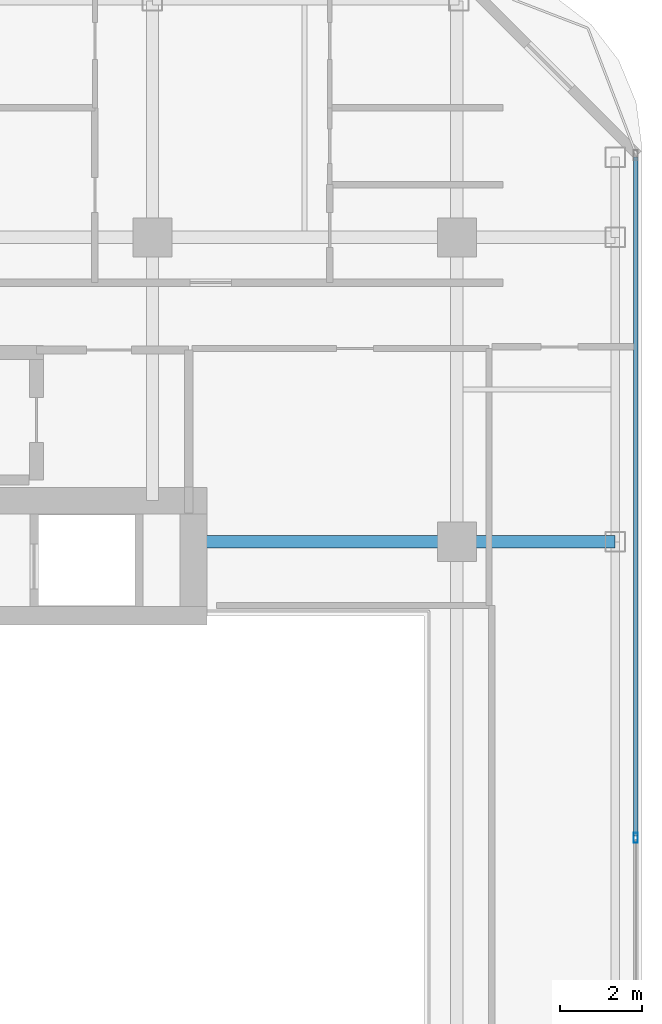
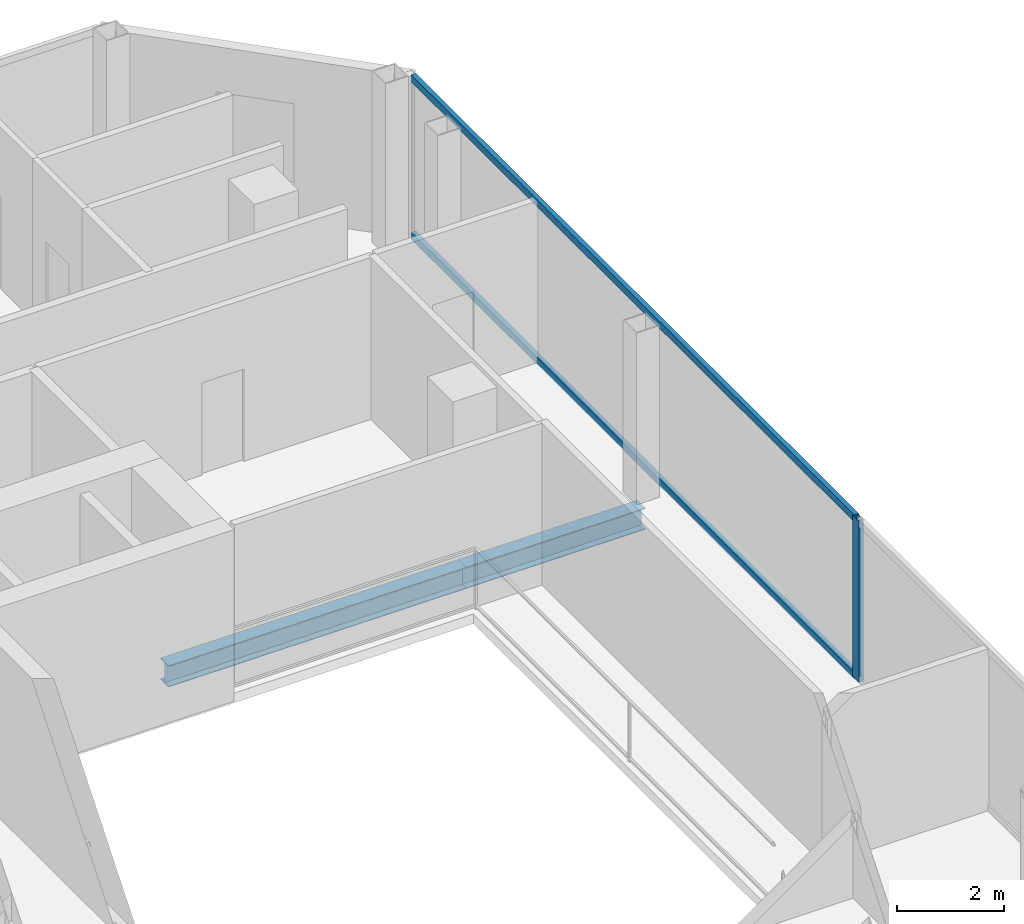
# One storey, part 10 of 23: 3 members, 2 beams, 1 element without a shape of its own.
"""IFC4 building model written with IfcOpenShell, lengths in metres."""

from ifc_helpers import new_model, si_unit, direction, frame, origin, origin_2d, place, context, subcontext, project, spatial, hollow_rectangle, i_section, extrude, material, layer, layer_set, material_profile, profile_set, type_object, element, aggregate, save


model = new_model("IFC4")

# Units and contexts
model_context = context("Model", 3, precision=1e-05, world=origin(), true_north=direction((0.0, 1.0)))
body_context = subcontext(model_context, "Body", "Model", "MODEL_VIEW")
ifc_project = project(units=[si_unit("LENGTHUNIT", "METRE"), si_unit("AREAUNIT", "SQUARE_METRE"), si_unit("VOLUMEUNIT", "CUBIC_METRE"), si_unit("PLANEANGLEUNIT", "RADIAN"), si_unit("MASSUNIT", "GRAM", prefix="KILO")], contexts=[model_context])

# Site, building, storey
site_placement = place(None, origin())
site = spatial("IfcSite", under=ifc_project, at=site_placement, CompositionType="ELEMENT")
building_placement = place(site_placement, origin())
building = spatial("IfcBuilding", under=site, at=building_placement, Name="Khorvyn Point Tower", CompositionType="ELEMENT")
storey_placement = place(building_placement, frame((0.0, 0.0, 293.699951171875)))
storey = spatial("IfcBuildingStorey", under=building, at=storey_placement, Name="L72", CompositionType="ELEMENT", Elevation=293.699951171875)

# Curtain wall, members
ifc_material_1 = material(Name="Anodised aluminium 6063-T6 and laminated Low-E glass", Category="aluminium")
ifc_layer = layer(ifc_material_1, 0.18994140625)
ifc_layer_set = layer_set([ifc_layer], Name="Stick-Built High-Wind Curtain Wall CW-SYS-04")
curtain_wall_type = type_object("IfcCurtainWallType", Name="Stick-Built High-Wind Curtain Wall CW-SYS-04", PredefinedType="NOTDEFINED", material=ifc_layer_set)
curtain_wall_placement = place(storey_placement, origin())
curtain_wall = element("IfcCurtainWall", 1, at=curtain_wall_placement, inside=storey, type_object=curtain_wall_type, Name="Curtain Wall", PredefinedType="NOTDEFINED")
ifc_material_2 = material(Name="Anodised aluminium 6063-T6", Category="aluminium")
ifc_material_profile_1 = material_profile(ifc_material_2, hollow_rectangle(XDim=0.10009765625, YDim=0.239990234375, WallThickness=0.0048828125, at=origin_2d()))
ifc_profile_set_1 = profile_set([ifc_material_profile_1], Name="Anodised aluminium 6063-T6 ALU-MUL-100x240")
member_type_1 = type_object("IfcMemberType", Name="Anodised Aluminium 6063-T6 Mullion ALU-MUL-100x240", PredefinedType="MULLION", material=ifc_profile_set_1)
member_1_placement = place(storey_placement, frame((19.14990234375, 0.199951171875, 0.0), z_axis=(0.0, 0.0, 1.0), x_axis=(1.0, 0.0, 0.0)))
member_1 = element("IfcMember", 2, at=member_1_placement, type_object=member_type_1, Name="Transom", PredefinedType="MULLION", context=body_context, shape_type="SweptSolid", body=[
    extrude(hollow_rectangle(XDim=0.10009765625, YDim=0.239990234375, WallThickness=0.0048828125, at=origin_2d()), origin(), (0.0, 0.0, 1.0), 3.679931640625),
])
ifc_material_profile_2 = material_profile(ifc_material_2, hollow_rectangle(XDim=0.10009765625, YDim=0.159912109375, WallThickness=0.00439453125, at=origin_2d()))
ifc_profile_set_2 = profile_set([ifc_material_profile_2], Name="Anodised aluminium 6063-T6 ALU-TRN-100x160")
member_type_2 = type_object("IfcMemberType", Name="Anodised Aluminium 6063-T6 Transom ALU-TRN-100x160", PredefinedType="USERDEFINED", material=ifc_profile_set_2)
member_2_placement = place(storey_placement, frame((19.14990234375, 16.75, 0.050048828125), z_axis=(0.0, -1.0, 0.0), x_axis=(1.0, 0.0, 0.0)))
member_2 = element("IfcMember", 3, at=member_2_placement, type_object=member_type_2, Name="Transom", ObjectType="TRANSOM", PredefinedType="USERDEFINED", context=body_context, shape_type="SweptSolid", body=[
    extrude(hollow_rectangle(XDim=0.10009765625, YDim=0.159912109375, WallThickness=0.00439453125, at=origin_2d()), origin(), (0.0, 0.0, 1.0), 16.5),
])
member_3_placement = place(storey_placement, frame((19.14990234375, 16.75, 3.630126953125), z_axis=(0.0, -1.0, 0.0), x_axis=(1.0, 0.0, 0.0)))
member_3 = element("IfcMember", 4, at=member_3_placement, type_object=member_type_2, Name="Transom", ObjectType="TRANSOM", PredefinedType="USERDEFINED", context=body_context, shape_type="SweptSolid", body=[
    extrude(hollow_rectangle(XDim=0.10009765625, YDim=0.159912109375, WallThickness=0.00439453125, at=origin_2d()), origin(), (0.0, 0.0, 1.0), 16.5),
])
aggregate(curtain_wall, [member_1, member_2, member_3])

# Beams
ifc_material_3 = material(Name="Steel S355", Category="steel")
ifc_material_profile_3 = material_profile(ifc_material_3, i_section(OverallWidth=0.300048828125, OverallDepth=0.488037109375, WebThickness=0.010986328125, FlangeThickness=0.01806640625, at=origin_2d()))
ifc_profile_set_3 = profile_set([ifc_material_profile_3], Name="Steel S355 H488x300x11x18")
beam_type = type_object("IfcBeamType", Name="Steel S355 Spandrel H488x300x11x18", PredefinedType="SPANDREL", material=ifc_profile_set_3)
beam_1_placement = place(storey_placement, frame((8.39990234375, 7.39990234375, -0.4638671875), z_axis=(1.0, 0.0, 0.0), x_axis=(0.0, 1.0, 0.0)))
element("IfcBeam", 5, at=beam_1_placement, inside=storey, type_object=beam_type, Name="Beam", PredefinedType="SPANDREL", context=body_context, shape_type="SweptSolid", body=[
    extrude(i_section(OverallWidth=0.300048828125, OverallDepth=0.488037109375, WebThickness=0.010986328125, FlangeThickness=0.01806640625, at=origin_2d()), origin(), (0.0, 0.0, 1.0), 6.400146484375),
])
beam_2_placement = place(storey_placement, frame((14.800048828125, 7.39990234375, -0.4638671875), z_axis=(1.0, 0.0, 0.0), x_axis=(0.0, 1.0, 0.0)))
element("IfcBeam", 6, at=beam_2_placement, inside=storey, type_object=beam_type, Name="Beam", PredefinedType="SPANDREL", context=body_context, shape_type="SweptSolid", body=[
    extrude(i_section(OverallWidth=0.300048828125, OverallDepth=0.488037109375, WebThickness=0.010986328125, FlangeThickness=0.01806640625, at=origin_2d()), origin(), (0.0, 0.0, 1.0), 3.849853515625),
])

save(model, "model.ifc")
